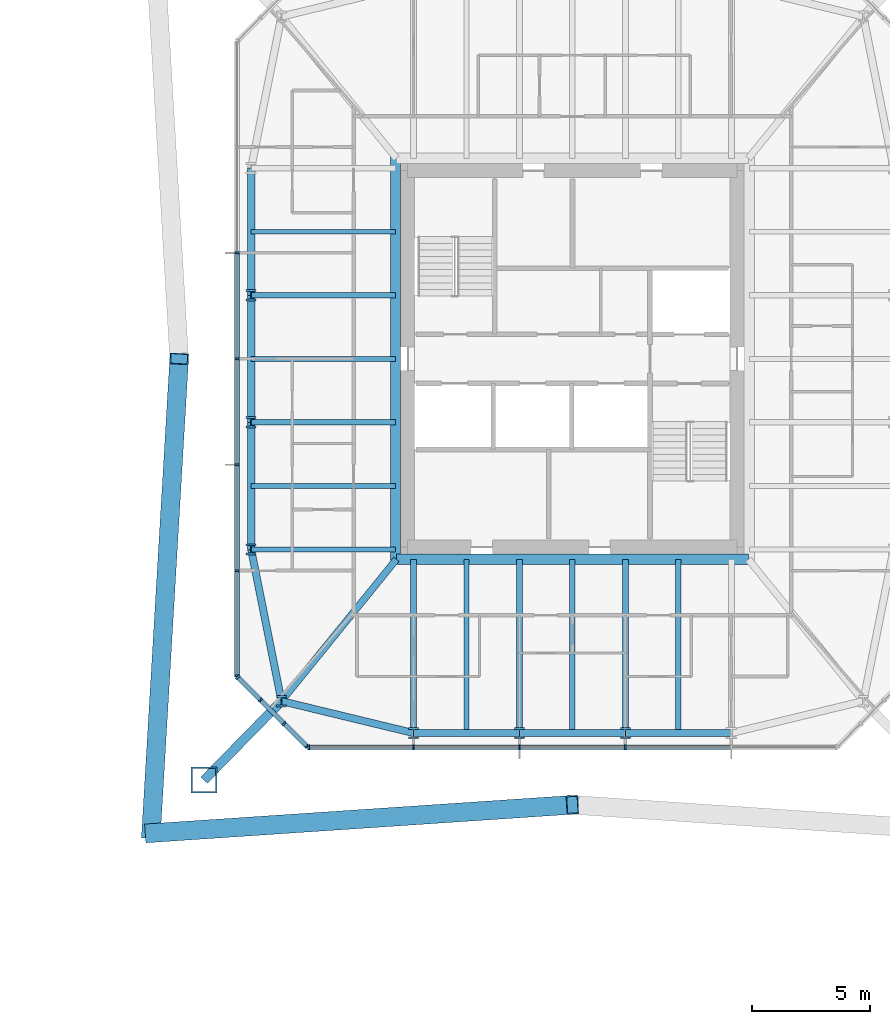
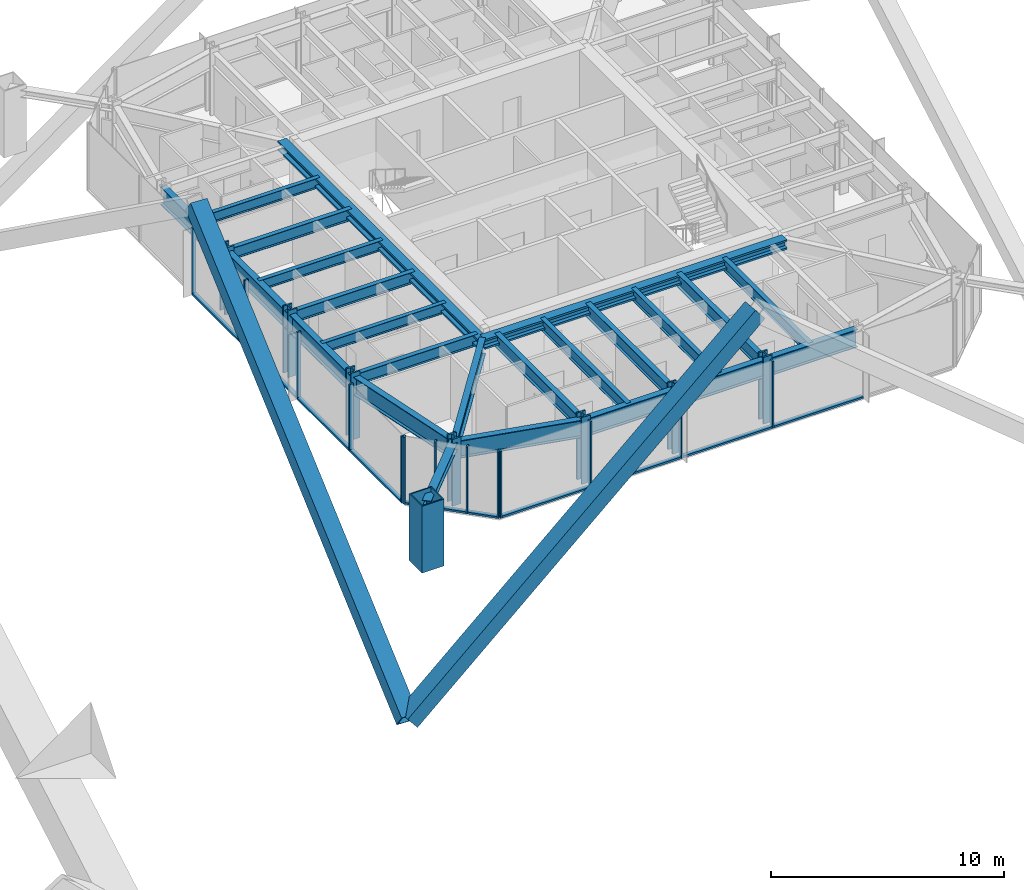
# One storey, part 7 of 21: 35 members, 23 beams, 3 elements without a shape of their own.
"""IFC4 building model written with IfcOpenShell, lengths in metres."""

from ifc_helpers import new_model, si_unit, direction, frame, origin, origin_2d, place, context, subcontext, project, spatial, rectangle, hollow_rectangle, i_section, extrude, material, material_profile, profile_set, type_object, element, aggregate, save


model = new_model("IFC4")

# Units and contexts
model_context = context("Model", 3, precision=1e-05, world=origin(), true_north=direction((0.0, 1.0)))
body_context = subcontext(model_context, "Body", "Model", "MODEL_VIEW")
ifc_project = project(units=[si_unit("LENGTHUNIT", "METRE"), si_unit("AREAUNIT", "SQUARE_METRE"), si_unit("VOLUMEUNIT", "CUBIC_METRE"), si_unit("PLANEANGLEUNIT", "RADIAN"), si_unit("MASSUNIT", "GRAM", prefix="KILO")], contexts=[model_context])

# Site, building, storey
site_placement = place(None, origin())
site = spatial("IfcSite", under=ifc_project, at=site_placement, CompositionType="ELEMENT")
building_placement = place(site_placement, origin())
building = spatial("IfcBuilding", under=site, at=building_placement, Name="Iwan Alto Co-Living Towers", CompositionType="ELEMENT")
storey_placement = place(building_placement, frame((0.0, 0.0, 80.5)))
storey = spatial("IfcBuildingStorey", under=building, at=storey_placement, Name="L21", CompositionType="ELEMENT", Elevation=80.5)

# Curtain wall, members
ifc_material_1 = material(Name="Bronze aluminium unitised frame", Category="aluminium")
curtain_wall_type_1 = type_object("IfcCurtainWallType", Name="CURTAIN WALL CW-C", PredefinedType="NOTDEFINED", material=ifc_material_1)
curtain_wall_1_placement = place(storey_placement, origin())
curtain_wall_1 = element("IfcCurtainWall", 1, at=curtain_wall_1_placement, inside=storey, type_object=curtain_wall_type_1, Name="T2 curtain wall S L21", PredefinedType="NOTDEFINED")
ifc_material_2 = material(Name="Aluminium 6063-T6 bronze anodised", Category="aluminium")
ifc_material_profile_1 = material_profile(ifc_material_2, rectangle(XDim=0.199951171875, YDim=0.080078125, at=origin_2d()), Name="AL 80X200")
ifc_profile_set_1 = profile_set([ifc_material_profile_1], Name="Aluminium 6063-T6 bronze anodised")
member_type_1 = type_object("IfcMemberType", Name="CW-C MULLION 80X200", PredefinedType="MULLION", material=ifc_profile_set_1)
member_1_placement = place(storey_placement, frame((51.7900390625, -16.5, 0.0), z_axis=(0.0, 0.0, 1.0), x_axis=(0.0, 1.0, 0.0)))
member_1 = element("IfcMember", 2, at=member_1_placement, type_object=member_type_1, Name="CW-C mullion 1", PredefinedType="MULLION", context=body_context, shape_type="SweptSolid", body=[
    extrude(rectangle(XDim=0.199951171875, YDim=0.080078125, at=origin_2d()), origin(), (0.0, 0.0, 1.0), 3.5),
])
member_2_placement = place(storey_placement, frame((56.25, -16.5, 0.0), z_axis=(0.0, 0.0, 1.0), x_axis=(0.0, 1.0, 0.0)))
member_2 = element("IfcMember", 3, at=member_2_placement, type_object=member_type_1, Name="CW-C mullion 2", PredefinedType="MULLION", context=body_context, shape_type="SweptSolid", body=[
    extrude(rectangle(XDim=0.199951171875, YDim=0.080078125, at=origin_2d()), origin(), (0.0, 0.0, 1.0), 3.5),
])
member_3_placement = place(storey_placement, frame((60.75, -16.5, 0.0), z_axis=(0.0, 0.0, 1.0), x_axis=(0.0, 1.0, 0.0)))
member_3 = element("IfcMember", 4, at=member_3_placement, type_object=member_type_1, Name="CW-C mullion 3", PredefinedType="MULLION", context=body_context, shape_type="SweptSolid", body=[
    extrude(rectangle(XDim=0.199951171875, YDim=0.080078125, at=origin_2d()), origin(), (0.0, 0.0, 1.0), 3.5),
])
member_4_placement = place(storey_placement, frame((65.25, -16.5, 0.0), z_axis=(0.0, 0.0, 1.0), x_axis=(0.0, 1.0, 0.0)))
member_4 = element("IfcMember", 5, at=member_4_placement, type_object=member_type_1, Name="CW-C mullion 4", PredefinedType="MULLION", context=body_context, shape_type="SweptSolid", body=[
    extrude(rectangle(XDim=0.199951171875, YDim=0.080078125, at=origin_2d()), origin(), (0.0, 0.0, 1.0), 3.5),
])

curtain_wall_2_placement = place(storey_placement, origin())
curtain_wall_2 = element("IfcCurtainWall", 6, at=curtain_wall_2_placement, inside=storey, type_object=curtain_wall_type_1, Name="T2 curtain wall W L21", PredefinedType="NOTDEFINED")
member_5_placement = place(storey_placement, frame((48.75, 4.5, 0.0), z_axis=(0.0, 0.0, 1.0), x_axis=(1.0, 0.0, 0.0)))
member_5 = element("IfcMember", 7, at=member_5_placement, type_object=member_type_1, Name="CW-C mullion 3", PredefinedType="MULLION", context=body_context, shape_type="SweptSolid", body=[
    extrude(rectangle(XDim=0.199951171875, YDim=0.080078125, at=origin_2d()), origin(), (0.0, 0.0, 1.0), 3.5),
])
member_6_placement = place(storey_placement, frame((48.75, 0.0, 0.0), z_axis=(0.0, 0.0, 1.0), x_axis=(1.0, 0.0, 0.0)))
member_6 = element("IfcMember", 8, at=member_6_placement, type_object=member_type_1, Name="CW-C mullion 4", PredefinedType="MULLION", context=body_context, shape_type="SweptSolid", body=[
    extrude(rectangle(XDim=0.199951171875, YDim=0.080078125, at=origin_2d()), origin(), (0.0, 0.0, 1.0), 3.5),
])
member_7_placement = place(storey_placement, frame((48.75, -4.5, 0.0), z_axis=(0.0, 0.0, 1.0), x_axis=(1.0, 0.0, 0.0)))
member_7 = element("IfcMember", 9, at=member_7_placement, type_object=member_type_1, Name="CW-C mullion 5", PredefinedType="MULLION", context=body_context, shape_type="SweptSolid", body=[
    extrude(rectangle(XDim=0.199951171875, YDim=0.080078125, at=origin_2d()), origin(), (0.0, 0.0, 1.0), 3.5),
])
member_8_placement = place(storey_placement, frame((48.75, -9.0, 0.0), z_axis=(0.0, 0.0, 1.0), x_axis=(1.0, 0.0, 0.0)))
member_8 = element("IfcMember", 10, at=member_8_placement, type_object=member_type_1, Name="CW-C mullion 6", PredefinedType="MULLION", context=body_context, shape_type="SweptSolid", body=[
    extrude(rectangle(XDim=0.199951171875, YDim=0.080078125, at=origin_2d()), origin(), (0.0, 0.0, 1.0), 3.5),
])
member_9_placement = place(storey_placement, frame((48.75, -13.4599609375, 0.0), z_axis=(0.0, 0.0, 1.0), x_axis=(1.0, 0.0, 0.0)))
member_9 = element("IfcMember", 11, at=member_9_placement, type_object=member_type_1, Name="CW-C mullion 7", PredefinedType="MULLION", context=body_context, shape_type="SweptSolid", body=[
    extrude(rectangle(XDim=0.199951171875, YDim=0.080078125, at=origin_2d()), origin(), (0.0, 0.0, 1.0), 3.5),
])

# Member
ifc_material_3 = material(Name="Aluminium 6063-T6 bronze anodised", Category="aluminium")
ifc_material_profile_2 = material_profile(ifc_material_3, rectangle(XDim=0.199951171875, YDim=0.10009765625, at=origin_2d()), Name="AL 200X100")
ifc_profile_set_2 = profile_set([ifc_material_profile_2], Name="Aluminium 6063-T6 bronze anodised")
member_type_2 = type_object("IfcMemberType", Name="CW-C TRANSOM 200X100", PredefinedType="USERDEFINED", material=ifc_profile_set_2)
member_10_placement = place(storey_placement, frame((51.830078125, -16.5, 0.050048828125), z_axis=(1.0, 0.0, 0.0), x_axis=(0.0, 1.0, 0.0)))
member_10 = element("IfcMember", 12, at=member_10_placement, type_object=member_type_2, Name="CW-C transom 1.1", ObjectType="TRANSOM", PredefinedType="USERDEFINED", context=body_context, shape_type="SweptSolid", body=[
    extrude(rectangle(XDim=0.199951171875, YDim=0.10009765625, at=origin_2d()), origin(), (0.0, 0.0, 1.0), 4.3798828125),
])

member_11_placement = place(storey_placement, frame((56.2900390625, -16.5, 0.050048828125), z_axis=(1.0, 0.0, 0.0), x_axis=(0.0, 1.0, 0.0)))
member_11 = element("IfcMember", 13, at=member_11_placement, type_object=member_type_2, Name="CW-C transom 2.1", ObjectType="TRANSOM", PredefinedType="USERDEFINED", context=body_context, shape_type="SweptSolid", body=[
    extrude(rectangle(XDim=0.199951171875, YDim=0.10009765625, at=origin_2d()), origin(), (0.0, 0.0, 1.0), 4.419921875),
])

member_12_placement = place(storey_placement, frame((60.7900390625, -16.5, 0.050048828125), z_axis=(1.0, 0.0, 0.0), x_axis=(0.0, 1.0, 0.0)))
member_12 = element("IfcMember", 14, at=member_12_placement, type_object=member_type_2, Name="CW-C transom 3.1", ObjectType="TRANSOM", PredefinedType="USERDEFINED", context=body_context, shape_type="SweptSolid", body=[
    extrude(rectangle(XDim=0.199951171875, YDim=0.10009765625, at=origin_2d()), origin(), (0.0, 0.0, 1.0), 4.419921875),
])

member_13_placement = place(storey_placement, frame((65.2900390625, -16.5, 0.050048828125), z_axis=(1.0, 0.0, 0.0), x_axis=(0.0, 1.0, 0.0)))
member_13 = element("IfcMember", 15, at=member_13_placement, type_object=member_type_2, Name="CW-C transom 4.1", ObjectType="TRANSOM", PredefinedType="USERDEFINED", context=body_context, shape_type="SweptSolid", body=[
    extrude(rectangle(XDim=0.199951171875, YDim=0.10009765625, at=origin_2d()), origin(), (0.0, 0.0, 1.0), 4.419921875),
])

aggregate(curtain_wall_1, [member_1, member_2, member_3, member_4, member_10, member_11, member_12, member_13])

member_14_placement = place(storey_placement, frame((48.75, 4.4599609375, 0.050048828125), z_axis=(0.0, -1.0, 0.0), x_axis=(1.0, 0.0, 0.0)))
member_14 = element("IfcMember", 16, at=member_14_placement, type_object=member_type_2, Name="CW-C transom 3.1", ObjectType="TRANSOM", PredefinedType="USERDEFINED", context=body_context, shape_type="SweptSolid", body=[
    extrude(rectangle(XDim=0.199951171875, YDim=0.10009765625, at=origin_2d()), origin(), (0.0, 0.0, 1.0), 4.419921875),
])

member_15_placement = place(storey_placement, frame((48.75, -0.0400390625, 0.050048828125), z_axis=(0.0, -1.0, 0.0), x_axis=(1.0, 0.0, 0.0)))
member_15 = element("IfcMember", 17, at=member_15_placement, type_object=member_type_2, Name="CW-C transom 4.1", ObjectType="TRANSOM", PredefinedType="USERDEFINED", context=body_context, shape_type="SweptSolid", body=[
    extrude(rectangle(XDim=0.199951171875, YDim=0.10009765625, at=origin_2d()), origin(), (0.0, 0.0, 1.0), 4.419921875),
])

member_16_placement = place(storey_placement, frame((48.75, -4.5400390625, 0.050048828125), z_axis=(0.0, -1.0, 0.0), x_axis=(1.0, 0.0, 0.0)))
member_16 = element("IfcMember", 18, at=member_16_placement, type_object=member_type_2, Name="CW-C transom 5.1", ObjectType="TRANSOM", PredefinedType="USERDEFINED", context=body_context, shape_type="SweptSolid", body=[
    extrude(rectangle(XDim=0.199951171875, YDim=0.10009765625, at=origin_2d()), origin(), (0.0, 0.0, 1.0), 4.419921875),
])

member_17_placement = place(storey_placement, frame((48.75, -9.0400390625, 0.050048828125), z_axis=(0.0, -1.0, 0.0), x_axis=(1.0, 0.0, 0.0)))
member_17 = element("IfcMember", 19, at=member_17_placement, type_object=member_type_2, Name="CW-C transom 6.1", ObjectType="TRANSOM", PredefinedType="USERDEFINED", context=body_context, shape_type="SweptSolid", body=[
    extrude(rectangle(XDim=0.199951171875, YDim=0.10009765625, at=origin_2d()), origin(), (0.0, 0.0, 1.0), 4.3798828125),
])

aggregate(curtain_wall_2, [member_5, member_6, member_7, member_8, member_9, member_14, member_15, member_16, member_17])

# Curtain wall, members
ifc_material_4 = material(Name="Bronze aluminium unitised frame", Category="aluminium")
curtain_wall_type_2 = type_object("IfcCurtainWallType", Name="CURTAIN WALL CW-D", PredefinedType="NOTDEFINED", material=ifc_material_4)
curtain_wall_3_placement = place(storey_placement, origin())
curtain_wall_3 = element("IfcCurtainWall", 20, at=curtain_wall_3_placement, inside=storey, type_object=curtain_wall_type_2, Name="T2 chamfer curtain wall SW L21", PredefinedType="NOTDEFINED")
ifc_material_5 = material(Name="Aluminium 6063-T6 bronze anodised", Category="aluminium")
ifc_material_profile_3 = material_profile(ifc_material_5, rectangle(XDim=0.199951171875, YDim=0.080078125, at=origin_2d()), Name="AL 80X200")
ifc_profile_set_3 = profile_set([ifc_material_profile_3], Name="Aluminium 6063-T6 bronze anodised")
member_type_3 = type_object("IfcMemberType", Name="CW-D MULLION 80X200", PredefinedType="MULLION", material=ifc_profile_set_3)
member_18_placement = place(storey_placement, frame((48.7783203125, -13.5283203125, 0.0), z_axis=(0.0, 0.0, 1.0), x_axis=(0.707106781187, 0.707106781187, 0.0)))
member_18 = element("IfcMember", 21, at=member_18_placement, type_object=member_type_3, Name="CW-D mullion 1", PredefinedType="MULLION", context=body_context, shape_type="SweptSolid", body=[
    extrude(rectangle(XDim=0.199951171875, YDim=0.080078125, at=origin_2d()), origin(), (0.0, 0.0, 1.0), 3.5),
])
member_19_placement = place(storey_placement, frame((49.75, -14.5, 0.0), z_axis=(0.0, 0.0, 1.0), x_axis=(0.707106781187, 0.707106781187, 0.0)))
member_19 = element("IfcMember", 22, at=member_19_placement, type_object=member_type_3, Name="CW-D mullion 2", PredefinedType="MULLION", context=body_context, shape_type="SweptSolid", body=[
    extrude(rectangle(XDim=0.199951171875, YDim=0.080078125, at=origin_2d()), origin(), (0.0, 0.0, 1.0), 3.5),
])
member_20_placement = place(storey_placement, frame((50.75, -15.5, 0.0), z_axis=(0.0, 0.0, 1.0), x_axis=(0.707106781187, 0.707106781187, 0.0)))
member_20 = element("IfcMember", 23, at=member_20_placement, type_object=member_type_3, Name="CW-D mullion 3", PredefinedType="MULLION", context=body_context, shape_type="SweptSolid", body=[
    extrude(rectangle(XDim=0.199951171875, YDim=0.080078125, at=origin_2d()), origin(), (0.0, 0.0, 1.0), 3.5),
])
member_21_placement = place(storey_placement, frame((51.7216796875, -16.4716796875, 0.0), z_axis=(0.0, 0.0, 1.0), x_axis=(0.707106781187, 0.707106781187, 0.0)))
member_21 = element("IfcMember", 24, at=member_21_placement, type_object=member_type_3, Name="CW-D mullion 4", PredefinedType="MULLION", context=body_context, shape_type="SweptSolid", body=[
    extrude(rectangle(XDim=0.199951171875, YDim=0.080078125, at=origin_2d()), origin(), (0.0, 0.0, 1.0), 3.5),
])
ifc_material_6 = material(Name="Aluminium 6063-T6 bronze anodised", Category="aluminium")
ifc_material_profile_4 = material_profile(ifc_material_6, rectangle(XDim=0.199951171875, YDim=0.10009765625, at=origin_2d()), Name="AL 200X100")
ifc_profile_set_4 = profile_set([ifc_material_profile_4], Name="Aluminium 6063-T6 bronze anodised")
member_type_4 = type_object("IfcMemberType", Name="CW-D TRANSOM 200X100", PredefinedType="USERDEFINED", material=ifc_profile_set_4)
member_22_placement = place(storey_placement, frame((48.806640625, -13.556640625, 0.050048828125), z_axis=(0.707106781187, -0.707106781187, 0.0), x_axis=(0.707106781187, 0.707106781187, 0.0)))
member_22 = element("IfcMember", 25, at=member_22_placement, type_object=member_type_4, Name="CW-D transom 1.1", ObjectType="TRANSOM", PredefinedType="USERDEFINED", context=body_context, shape_type="SweptSolid", body=[
    extrude(rectangle(XDim=0.199951171875, YDim=0.10009765625, at=origin_2d()), origin(), (0.0, 0.0, 1.0), 1.2939453125),
])
member_23_placement = place(storey_placement, frame((49.7783203125, -14.5283203125, 0.050048828125), z_axis=(0.707106781187, -0.707106781187, 0.0), x_axis=(0.707106781187, 0.707106781187, 0.0)))
member_23 = element("IfcMember", 26, at=member_23_placement, type_object=member_type_4, Name="CW-D transom 2.1", ObjectType="TRANSOM", PredefinedType="USERDEFINED", context=body_context, shape_type="SweptSolid", body=[
    extrude(rectangle(XDim=0.199951171875, YDim=0.10009765625, at=origin_2d()), origin(), (0.0, 0.0, 1.0), 1.334228515625),
])
member_24_placement = place(storey_placement, frame((50.7783203125, -15.5283203125, 0.050048828125), z_axis=(0.707106781187, -0.707106781187, 0.0), x_axis=(0.707106781187, 0.707106781187, 0.0)))
member_24 = element("IfcMember", 27, at=member_24_placement, type_object=member_type_4, Name="CW-D transom 3.1", ObjectType="TRANSOM", PredefinedType="USERDEFINED", context=body_context, shape_type="SweptSolid", body=[
    extrude(rectangle(XDim=0.199951171875, YDim=0.10009765625, at=origin_2d()), origin(), (0.0, 0.0, 1.0), 1.2939453125),
])
aggregate(curtain_wall_3, [member_18, member_19, member_20, member_21, member_22, member_23, member_24])

# Beams
ifc_material_7 = material(Name="Steel ASTM A992 Gr 50", Category="steel")
ifc_material_profile_5 = material_profile(ifc_material_7, i_section(OverallWidth=0.436767578125, OverallDepth=0.51318359375, WebThickness=0.060546875, FlangeThickness=0.096923828125, at=origin_2d()), Name="W14X550")
ifc_profile_set_5 = profile_set([ifc_material_profile_5], Name="Steel ASTM A992 Gr 50")
beam_type_1 = type_object("IfcBeamType", Name="T2 CORE LEDGER BEAM W14X550", PredefinedType="BEAM", material=ifc_profile_set_5)
beam_1_placement = place(storey_placement, frame((55.52294921875, -8.5185546875, 3.013427734375), z_axis=(1.0, 0.0, 0.0), x_axis=(0.0, 1.0, 0.0)))
element("IfcBeam", 28, at=beam_1_placement, inside=storey, type_object=beam_type_1, Name="T2 core ledger beam S L22", PredefinedType="BEAM", context=body_context, shape_type="SweptSolid", body=[
    extrude(i_section(OverallWidth=0.436767578125, OverallDepth=0.51318359375, WebThickness=0.060546875, FlangeThickness=0.096923828125, at=origin_2d()), origin(), (0.0, 0.0, 1.0), 14.9541015625),
])
beam_2_placement = place(storey_placement, frame((55.4814453125, 8.5693359375, 3.013427734375), z_axis=(0.0, -1.0, 0.0), x_axis=(1.0, 0.0, 0.0)))
element("IfcBeam", 29, at=beam_2_placement, inside=storey, type_object=beam_type_1, Name="T2 core ledger beam W L22", PredefinedType="BEAM", context=body_context, shape_type="SweptSolid", body=[
    extrude(i_section(OverallWidth=0.436767578125, OverallDepth=0.51318359375, WebThickness=0.060546875, FlangeThickness=0.096923828125, at=origin_2d()), origin(), (0.0, 0.0, 1.0), 17.138671875),
])
ifc_material_8 = material(Name="Steel ASTM A992 Gr 50", Category="steel")
ifc_material_profile_6 = material_profile(ifc_material_8, i_section(OverallWidth=0.2919921875, OverallDepth=0.8408203125, WebThickness=0.0146484375, FlangeThickness=0.021728515625, at=origin_2d()), Name="W33X130")
ifc_profile_set_6 = profile_set([ifc_material_profile_6], Name="Steel ASTM A992 Gr 50")
beam_type_2 = type_object("IfcBeamType", Name="T2 CORNER GIRDER W33X130", PredefinedType="BEAM", material=ifc_profile_set_6)
beam_3_placement = place(storey_placement, frame((50.638671875, -14.542724609375, 2.849609375), z_axis=(0.629787584927, 0.776767402683, 0.0), x_axis=(-0.776767402683, 0.629787584927, 0.0)))
element("IfcBeam", 30, at=beam_3_placement, inside=storey, type_object=beam_type_2, Name="T2 corner girder CSW L22", PredefinedType="BEAM", context=body_context, shape_type="SweptSolid", body=[
    extrude(i_section(OverallWidth=0.2919921875, OverallDepth=0.8408203125, WebThickness=0.0146484375, FlangeThickness=0.021728515625, at=origin_2d()), origin(), (0.0, 0.0, 1.0), 7.75537109375),
])
ifc_material_9 = material(Name="Steel ASTM A992 Gr 50", Category="steel")
ifc_material_profile_7 = material_profile(ifc_material_9, i_section(OverallWidth=0.307373046875, OverallDepth=0.927001953125, WebThickness=0.01953125, FlangeThickness=0.031982421875, at=origin_2d()), Name="W36X194")
ifc_profile_set_7 = profile_set([ifc_material_profile_7], Name="Steel ASTM A992 Gr 50")
beam_type_3 = type_object("IfcBeamType", Name="T2 EDGE BEAM W36X194", PredefinedType="BEAM", material=ifc_profile_set_7)
beam_4_placement = place(storey_placement, frame((50.638671875, -14.542724609375, 2.806396484375), z_axis=(0.971974673138, -0.235085590323, 0.0), x_axis=(0.235085590323, 0.971974673138, 0.0)))
element("IfcBeam", 31, at=beam_4_placement, inside=storey, type_object=beam_type_3, Name="T2 edge beam CSW L22", PredefinedType="BEAM", context=body_context, shape_type="SweptSolid", body=[
    extrude(i_section(OverallWidth=0.307373046875, OverallDepth=0.927001953125, WebThickness=0.01953125, FlangeThickness=0.031982421875, at=origin_2d()), origin(), (0.0, 0.0, 1.0), 5.773193359375),
])
for number, where, z_axis, x_axis, name in (
    (32, (56.25, -15.89990234375, 2.806396484375), (1.0, 0.0, 0.0), (0.0, 1.0, 0.0), "T2 edge beam S1 L22"),
    (33, (60.75, -15.89990234375, 2.806396484375), (1.0, 0.0, 0.0), (0.0, 1.0, 0.0), "T2 edge beam S2 L22"),
    (34, (65.25, -15.89990234375, 2.806396484375), (1.0, 0.0, 0.0), (0.0, 1.0, 0.0), "T2 edge beam S3 L22"),
):
    element("IfcBeam", number, at=place(storey_placement, frame(where, z_axis=z_axis, x_axis=x_axis)), inside=storey, type_object=beam_type_3, Name=name, PredefinedType="BEAM", context=body_context, shape_type="SweptSolid", body=[
        extrude(i_section(OverallWidth=0.307373046875, OverallDepth=0.927001953125, WebThickness=0.01953125, FlangeThickness=0.031982421875, at=origin_2d()), origin(), (0.0, 0.0, 1.0), 4.5),
    ])
beam_5_placement = place(storey_placement, frame((49.35009765625, 8.10009765625, 2.806396484375), z_axis=(0.0, -1.0, 0.0), x_axis=(1.0, 0.0, 0.0)))
element("IfcBeam", 35, at=beam_5_placement, inside=storey, type_object=beam_type_3, Name="T2 edge beam W1 L22", PredefinedType="BEAM", context=body_context, shape_type="SweptSolid", body=[
    extrude(i_section(OverallWidth=0.307373046875, OverallDepth=0.927001953125, WebThickness=0.01953125, FlangeThickness=0.031982421875, at=origin_2d()), origin(), (0.0, 0.0, 1.0), 5.400146484375),
])
beam_6_placement = place(storey_placement, frame((49.35009765625, 2.699951171875, 2.806396484375), z_axis=(0.0, -1.0, 0.0), x_axis=(1.0, 0.0, 0.0)))
element("IfcBeam", 36, at=beam_6_placement, inside=storey, type_object=beam_type_3, Name="T2 edge beam W2 L22", PredefinedType="BEAM", context=body_context, shape_type="SweptSolid", body=[
    extrude(i_section(OverallWidth=0.307373046875, OverallDepth=0.927001953125, WebThickness=0.01953125, FlangeThickness=0.031982421875, at=origin_2d()), origin(), (0.0, 0.0, 1.0), 5.39990234375),
])
beam_7_placement = place(storey_placement, frame((49.35009765625, -2.699951171875, 2.806396484375), z_axis=(0.0, -1.0, 0.0), x_axis=(1.0, 0.0, 0.0)))
element("IfcBeam", 37, at=beam_7_placement, inside=storey, type_object=beam_type_3, Name="T2 edge beam W3 L22", PredefinedType="BEAM", context=body_context, shape_type="SweptSolid", body=[
    extrude(i_section(OverallWidth=0.307373046875, OverallDepth=0.927001953125, WebThickness=0.01953125, FlangeThickness=0.031982421875, at=origin_2d()), origin(), (0.0, 0.0, 1.0), 5.400146484375),
])
beam_8_placement = place(storey_placement, frame((49.35009765625, -8.10009765625, 2.806396484375), z_axis=(0.196123281025, -0.980579246487, 0.0), x_axis=(0.980579246487, 0.196123281025, 0.0)))
element("IfcBeam", 38, at=beam_8_placement, inside=storey, type_object=beam_type_3, Name="T2 edge beam W4 L22", PredefinedType="BEAM", context=body_context, shape_type="SweptSolid", body=[
    extrude(i_section(OverallWidth=0.307373046875, OverallDepth=0.927001953125, WebThickness=0.01953125, FlangeThickness=0.031982421875, at=origin_2d()), origin(), (0.0, 0.0, 1.0), 6.5703125),
])

# Members
ifc_material_10 = material(Name="Steel ASTM A572 Gr 50", Category="steel")
ifc_material_profile_8 = material_profile(ifc_material_10, hollow_rectangle(XDim=0.800048828125, YDim=0.800048828125, WallThickness=0.050048828125, at=origin_2d()), Name="BOX 800X800X50")
ifc_profile_set_8 = profile_set([ifc_material_profile_8], Name="Steel ASTM A572 Gr 50")
member_type_5 = type_object("IfcMemberType", Name="T2 MEGA BRACE BOX 800X800X50", PredefinedType="BRACE", material=ifc_profile_set_8)
member_25_placement = place(storey_placement, frame((45.10009765625, -20.14990234375, -6.0), z_axis=(0.777992341142, 0.052175295854, 0.626103550243), x_axis=(-0.066913716291, 0.99775876572, 0.0)))
element("IfcMember", 39, at=member_25_placement, inside=storey, type_object=member_type_5, Name="T2 mega brace Z2A S 1 lower", PredefinedType="BRACE", context=body_context, shape_type="SweptSolid", body=[
    extrude(hollow_rectangle(XDim=0.800048828125, YDim=0.800048828125, WallThickness=0.050048828125, at=origin_2d()), origin(), (0.0, 0.0, 1.0), 23.0078125),
])
member_26_placement = place(storey_placement, frame((45.10009765625, -20.14990234375, -6.0), z_axis=(0.04816444441, 0.814591035855, 0.578032551505), x_axis=(-0.998256560204, 0.059024062978, 0.0)))
element("IfcMember", 40, at=member_26_placement, inside=storey, type_object=member_type_5, Name="T2 mega brace Z2A W 2 lower", PredefinedType="BRACE", context=body_context, shape_type="SweptSolid", body=[
    extrude(hollow_rectangle(XDim=0.800048828125, YDim=0.800048828125, WallThickness=0.050048828125, at=origin_2d()), origin(), (0.0, 0.0, 1.0), 24.736328125),
])
ifc_material_11 = material(Name="Steel ASTM A992 Gr 50", Category="steel")
ifc_material_profile_9 = material_profile(ifc_material_11, i_section(OverallWidth=0.393798828125, OverallDepth=0.3759765625, WebThickness=0.017333984375, FlangeThickness=0.027587890625, at=origin_2d()), Name="W14X145")
ifc_profile_set_9 = profile_set([ifc_material_profile_9], Name="Steel ASTM A992 Gr 50")
member_type_6 = type_object("IfcMemberType", Name="T2 MEGA COLUMN FLOOR TIE W14X145", PredefinedType="STRUT", material=ifc_profile_set_9)
member_27_placement = place(storey_placement, frame((47.35009765625, -17.89990234375, 3.08203125), z_axis=(0.699770096147, 0.714368121166, 0.0), x_axis=(-0.714368121166, 0.699770096147, 0.0)))
element("IfcMember", 41, at=member_27_placement, inside=storey, type_object=member_type_6, Name="T2 mega column floor tie SW L22", PredefinedType="STRUT", context=body_context, shape_type="SweptSolid", body=[
    extrude(i_section(OverallWidth=0.393798828125, OverallDepth=0.3759765625, WebThickness=0.017333984375, FlangeThickness=0.027587890625, at=origin_2d()), origin(), (0.0, 0.0, 1.0), 4.699462890625),
])
ifc_material_12 = material(Name="Steel ASTM A572 Gr 50", Category="steel")
ifc_material_profile_10 = material_profile(ifc_material_12, hollow_rectangle(XDim=1.10009765625, YDim=1.10009765625, WallThickness=0.06005859375, at=origin_2d()), Name="BOX 1100X1100X60")
ifc_profile_set_10 = profile_set([ifc_material_profile_10], Name="Steel ASTM A572 Gr 50")
member_type_7 = type_object("IfcMemberType", Name="T2 MEGA POST AT STEP BOX 1100X1100X60", PredefinedType="MEMBER", material=ifc_profile_set_10)
member_28_placement = place(storey_placement, frame((47.35009765625, -17.89990234375, 0.0), z_axis=(0.0, 0.0, 1.0), x_axis=(1.0, 0.0, 0.0)))
element("IfcMember", 42, at=member_28_placement, inside=storey, type_object=member_type_7, Name="T2 mega post at step SW L21", PredefinedType="MEMBER", context=body_context, shape_type="SweptSolid", body=[
    extrude(hollow_rectangle(XDim=1.10009765625, YDim=1.10009765625, WallThickness=0.06005859375, at=origin_2d()), origin(), (0.0, 0.0, 1.0), 3.5),
])

# Beams
ifc_material_13 = material(Name="Steel ASTM A992 Gr 50", Category="steel")
ifc_material_profile_11 = material_profile(ifc_material_13, i_section(OverallWidth=0.228271484375, OverallDepth=0.607177734375, WebThickness=0.01123046875, FlangeThickness=0.017333984375, at=origin_2d()), Name="W24X76")
ifc_profile_set_11 = profile_set([ifc_material_profile_11], Name="Steel ASTM A992 Gr 50")
beam_type_4 = type_object("IfcBeamType", Name="T2 RADIAL BEAM W24X76", PredefinedType="BEAM", material=ifc_profile_set_11)
for number, where, z_axis, x_axis, name in (
    (43, (49.35009765625, 2.699951171875, 2.966552734375), (1.0, 0.0, 0.0), (0.0, 1.0, 0.0), "T2 radial beam W2 L22"),
    (44, (49.35009765625, -2.699951171875, 2.966552734375), (1.0, 0.0, 0.0), (0.0, 1.0, 0.0), "T2 radial beam W3 L22"),
    (45, (49.35009765625, -8.10009765625, 2.966552734375), (1.0, 0.0, 0.0), (0.0, 1.0, 0.0), "T2 radial beam W4 L22"),
):
    element("IfcBeam", number, at=place(storey_placement, frame(where, z_axis=z_axis, x_axis=x_axis)), inside=storey, type_object=beam_type_4, Name=name, PredefinedType="BEAM", context=body_context, shape_type="SweptSolid", body=[
        extrude(i_section(OverallWidth=0.228271484375, OverallDepth=0.607177734375, WebThickness=0.01123046875, FlangeThickness=0.017333984375, at=origin_2d()), origin(), (0.0, 0.0, 1.0), 6.13134765625),
    ])
ifc_material_14 = material(Name="Steel ASTM A992 Gr 50", Category="steel")
ifc_material_profile_12 = material_profile(ifc_material_14, i_section(OverallWidth=0.25390625, OverallDepth=0.683349609375, WebThickness=0.012451171875, FlangeThickness=0.018798828125, at=origin_2d()), Name="W27X94")
ifc_profile_set_12 = profile_set([ifc_material_profile_12], Name="Steel ASTM A992 Gr 50")
beam_type_5 = type_object("IfcBeamType", Name="T2 RADIAL BEAM W27X94", PredefinedType="BEAM", material=ifc_profile_set_12)
for number, where, z_axis, x_axis, name in (
    (46, (56.25, -15.89990234375, 2.928466796875), (0.0, 1.0, 0.0), (-1.0, 0.0, 0.0), "T2 radial beam S1 L22"),
    (47, (60.75, -15.89990234375, 2.928466796875), (0.0, 1.0, 0.0), (-1.0, 0.0, 0.0), "T2 radial beam S2 L22"),
    (48, (65.25, -15.89990234375, 2.928466796875), (0.0, 1.0, 0.0), (-1.0, 0.0, 0.0), "T2 radial beam S3 L22"),
):
    element("IfcBeam", number, at=place(storey_placement, frame(where, z_axis=z_axis, x_axis=x_axis)), inside=storey, type_object=beam_type_5, Name=name, PredefinedType="BEAM", context=body_context, shape_type="SweptSolid", body=[
        extrude(i_section(OverallWidth=0.25390625, OverallDepth=0.683349609375, WebThickness=0.012451171875, FlangeThickness=0.018798828125, at=origin_2d()), origin(), (0.0, 0.0, 1.0), 7.38134765625),
    ])

# Members
ifc_material_15 = material(Name="Steel ASTM A992 Gr 50", Category="steel")
ifc_material_profile_13 = material_profile(ifc_material_15, i_section(OverallWidth=0.4267578125, OverallDepth=0.482666015625, WebThickness=0.05126953125, FlangeThickness=0.08154296875, at=origin_2d()), Name="W14X455")
ifc_profile_set_13 = profile_set([ifc_material_profile_13], Name="Steel ASTM A992 Gr 50")
member_type_8 = type_object("IfcMemberType", Name="T2 RING POST AT STEP W14X455", PredefinedType="MEMBER", material=ifc_profile_set_13)
for number, where, z_axis, x_axis, name in (
    (49, (50.638671875, -14.542724609375, 0.0), (0.0, 0.0, 1.0), (1.0, 0.0, 0.0), "T2 ring post at step CSW L21"),
    (50, (56.25, -15.89990234375, 0.0), (0.0, 0.0, 1.0), (1.0, 0.0, 0.0), "T2 ring post at step S1 L21"),
    (51, (60.75, -15.89990234375, 0.0), (0.0, 0.0, 1.0), (1.0, 0.0, 0.0), "T2 ring post at step S2 L21"),
    (52, (65.25, -15.89990234375, 0.0), (0.0, 0.0, 1.0), (1.0, 0.0, 0.0), "T2 ring post at step S3 L21"),
    (53, (49.35009765625, 2.699951171875, 0.0), (0.0, 0.0, 1.0), (1.0, 0.0, 0.0), "T2 ring post at step W2 L21"),
    (54, (49.35009765625, -2.699951171875, 0.0), (0.0, 0.0, 1.0), (1.0, 0.0, 0.0), "T2 ring post at step W3 L21"),
    (55, (49.35009765625, -8.10009765625, 0.0), (0.0, 0.0, 1.0), (1.0, 0.0, 0.0), "T2 ring post at step W4 L21"),
):
    element("IfcMember", number, at=place(storey_placement, frame(where, z_axis=z_axis, x_axis=x_axis)), inside=storey, type_object=member_type_8, Name=name, PredefinedType="MEMBER", context=body_context, shape_type="SweptSolid", body=[
        extrude(i_section(OverallWidth=0.4267578125, OverallDepth=0.482666015625, WebThickness=0.05126953125, FlangeThickness=0.08154296875, at=origin_2d()), origin(), (0.0, 0.0, 1.0), 3.5),
    ])

# Beams
ifc_material_16 = material(Name="Steel ASTM A992 Gr 50", Category="steel")
ifc_material_profile_14 = material_profile(ifc_material_16, i_section(OverallWidth=0.209228515625, OverallDepth=0.533447265625, WebThickness=0.01025390625, FlangeThickness=0.015625, at=origin_2d()), Name="W21X62")
ifc_profile_set_14 = profile_set([ifc_material_profile_14], Name="Steel ASTM A992 Gr 50")
beam_type_6 = type_object("IfcBeamType", Name="T2 SECONDARY BEAM W21X62", PredefinedType="JOIST", material=ifc_profile_set_14)
for number, where, z_axis, x_axis, name in (
    (56, (49.35009765625, 5.39990234375, 3.00341796875), (1.0, 0.0, 0.0), (0.0, 1.0, 0.0), "T2 secondary beam W1 L22"),
    (57, (49.35009765625, 0.0, 3.00341796875), (1.0, 0.0, 0.0), (0.0, 1.0, 0.0), "T2 secondary beam W2 L22"),
    (58, (49.35009765625, -5.39990234375, 3.00341796875), (1.0, 0.0, 0.0), (0.0, 1.0, 0.0), "T2 secondary beam W3 L22"),
):
    element("IfcBeam", number, at=place(storey_placement, frame(where, z_axis=z_axis, x_axis=x_axis)), inside=storey, type_object=beam_type_6, Name=name, PredefinedType="JOIST", context=body_context, shape_type="SweptSolid", body=[
        extrude(i_section(OverallWidth=0.209228515625, OverallDepth=0.533447265625, WebThickness=0.01025390625, FlangeThickness=0.015625, at=origin_2d()), origin(), (0.0, 0.0, 1.0), 6.13134765625),
    ])
ifc_material_17 = material(Name="Steel ASTM A992 Gr 50", Category="steel")
ifc_material_profile_15 = material_profile(ifc_material_17, i_section(OverallWidth=0.228271484375, OverallDepth=0.607177734375, WebThickness=0.01123046875, FlangeThickness=0.017333984375, at=origin_2d()), Name="W24X76")
ifc_profile_set_15 = profile_set([ifc_material_profile_15], Name="Steel ASTM A992 Gr 50")
beam_type_7 = type_object("IfcBeamType", Name="T2 SECONDARY BEAM W24X76", PredefinedType="JOIST", material=ifc_profile_set_15)
for number, where, z_axis, x_axis, name in (
    (59, (58.5, -15.89990234375, 2.966552734375), (0.0, 1.0, 0.0), (-1.0, 0.0, 0.0), "T2 secondary beam S1 L22"),
    (60, (63.0, -15.89990234375, 2.966552734375), (0.0, 1.0, 0.0), (-1.0, 0.0, 0.0), "T2 secondary beam S2 L22"),
    (61, (67.5, -15.89990234375, 2.966552734375), (0.0, 1.0, 0.0), (-1.0, 0.0, 0.0), "T2 secondary beam S3 L22"),
):
    element("IfcBeam", number, at=place(storey_placement, frame(where, z_axis=z_axis, x_axis=x_axis)), inside=storey, type_object=beam_type_7, Name=name, PredefinedType="JOIST", context=body_context, shape_type="SweptSolid", body=[
        extrude(i_section(OverallWidth=0.228271484375, OverallDepth=0.607177734375, WebThickness=0.01123046875, FlangeThickness=0.017333984375, at=origin_2d()), origin(), (0.0, 0.0, 1.0), 7.38134765625),
    ])

save(model, "model.ifc")
